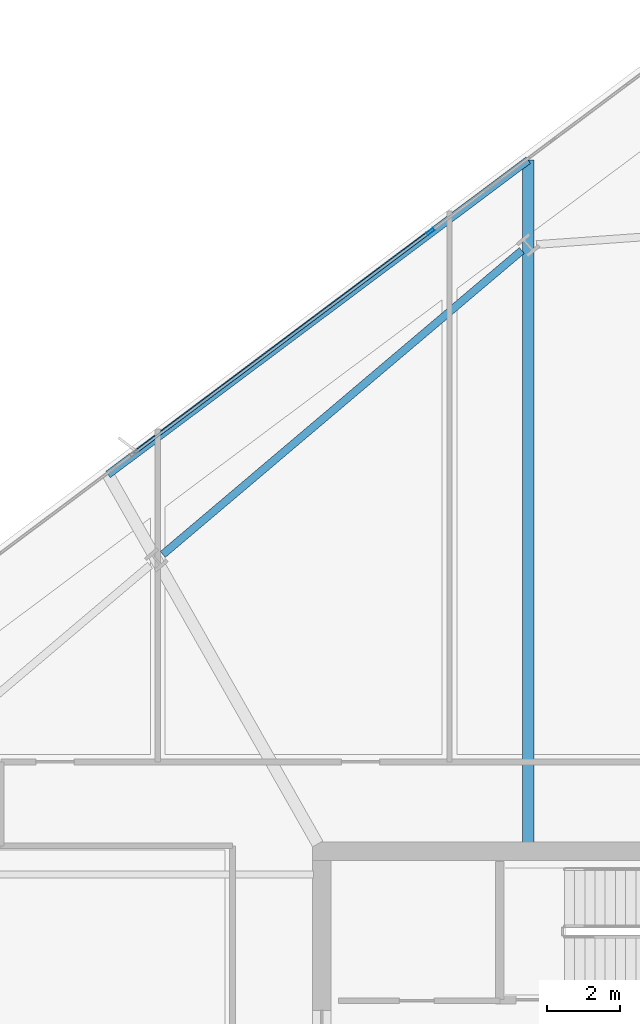
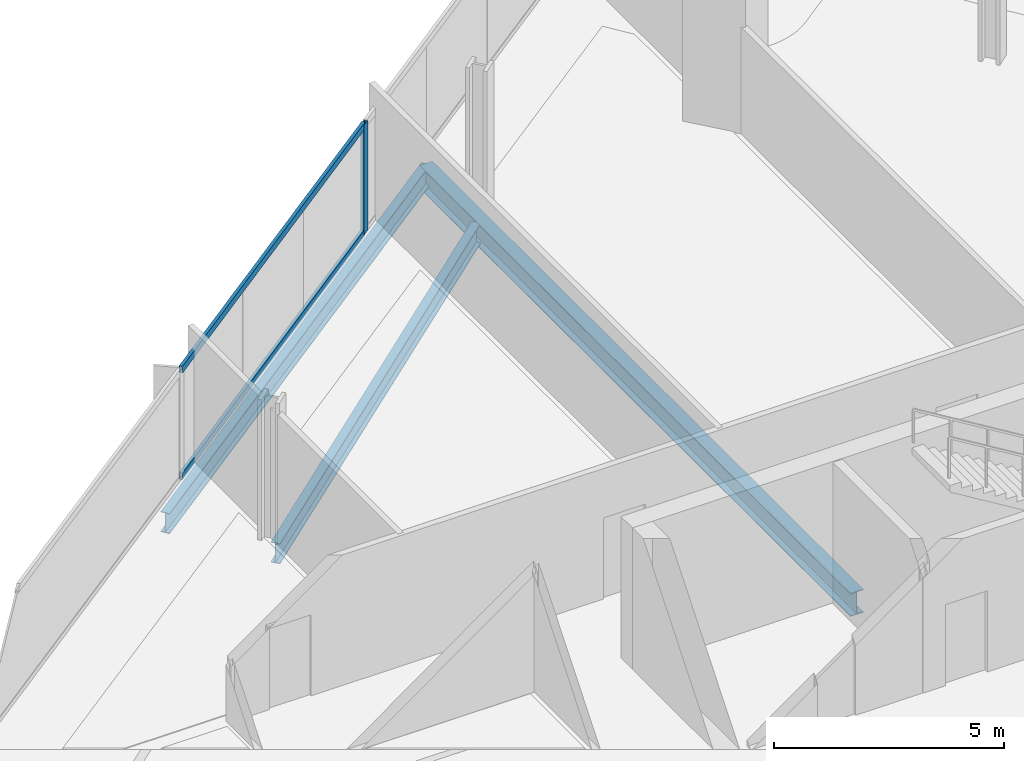
# One storey, part 15 of 32: 3 beams, 3 members, 1 element without a shape of its own.
"""IFC4 building model written with IfcOpenShell, lengths in metres."""

from ifc_helpers import new_model, si_unit, direction, frame, origin, origin_2d, place, context, subcontext, project, spatial, hollow_rectangle, i_section, extrude, material, material_profile, profile_set, type_object, element, aggregate, save


model = new_model("IFC4")

# Units and contexts
model_context = context("Model", 3, precision=1e-05, world=origin(), true_north=direction((0.0, 1.0)))
body_context = subcontext(model_context, "Body", "Model", "MODEL_VIEW")
ifc_project = project(units=[si_unit("LENGTHUNIT", "METRE"), si_unit("AREAUNIT", "SQUARE_METRE"), si_unit("VOLUMEUNIT", "CUBIC_METRE"), si_unit("PLANEANGLEUNIT", "RADIAN"), si_unit("MASSUNIT", "GRAM", prefix="KILO")], contexts=[model_context])

# Site, building, storey
site_placement = place(None, origin())
site = spatial("IfcSite", under=ifc_project, at=site_placement, CompositionType="ELEMENT")
building_placement = place(site_placement, origin())
building = spatial("IfcBuilding", under=site, at=building_placement, Name="Haldenkirk Collegiate Tower", CompositionType="ELEMENT")
storey_placement = place(building_placement, frame((0.0, 0.0, 151.949951171875)))
storey = spatial("IfcBuildingStorey", under=building, at=storey_placement, Name="L37", CompositionType="ELEMENT", Elevation=151.949951171875)

# Beams
ifc_material_1 = material(Name="Steel ASTM A992 Grade 50", Category="steel")
ifc_material_profile_1 = material_profile(ifc_material_1, i_section(OverallWidth=0.324951171875, OverallDepth=0.615966796875, WebThickness=0.013916015625, FlangeThickness=0.021484375, at=origin_2d()), Name="W24X117")
ifc_profile_set_1 = profile_set([ifc_material_profile_1], Name="Steel ASTM A992 Grade 50")
beam_type_1 = type_object("IfcBeamType", Name="BM-GIRDER-W24X117", PredefinedType="BEAM", material=ifc_profile_set_1)
beam_1_placement = place(storey_placement, frame((32.657470703125, 52.947509765625, -0.597900390625), z_axis=(0.0, -1.0, 0.0), x_axis=(1.0, 0.0, 0.0)))
element("IfcBeam", 1, at=beam_1_placement, inside=storey, type_object=beam_type_1, Name="L37 primary floor girder 11", PredefinedType="BEAM", context=body_context, shape_type="SweptSolid", body=[
    extrude(i_section(OverallWidth=0.324951171875, OverallDepth=0.615966796875, WebThickness=0.013916015625, FlangeThickness=0.021484375, at=origin_2d()), origin(), (0.0, 0.0, 1.0), 18.717529296875),
])
ifc_material_profile_2 = material_profile(ifc_material_1, i_section(OverallWidth=0.2119140625, OverallDepth=0.5439453125, WebThickness=0.01318359375, FlangeThickness=0.021240234375, at=origin_2d()), Name="W21X83")
ifc_profile_set_2 = profile_set([ifc_material_profile_2], Name="Steel ASTM A992 Grade 50")
beam_type_2 = type_object("IfcBeamType", Name="BM-SPANDREL-W21X83", PredefinedType="SPANDREL", material=ifc_profile_set_2)
beam_2_placement = place(storey_placement, frame((32.482666015625, 50.471435546875, -0.56201171875), z_axis=(-0.763233335078, -0.646122957514, 0.0), x_axis=(0.646122957514, -0.763233335078, 0.0)))
element("IfcBeam", 2, at=beam_2_placement, inside=storey, type_object=beam_type_2, Name="L37 perimeter spandrel beam 10", PredefinedType="SPANDREL", context=body_context, shape_type="SweptSolid", body=[
    extrude(i_section(OverallWidth=0.2119140625, OverallDepth=0.5439453125, WebThickness=0.01318359375, FlangeThickness=0.021240234375, at=origin_2d()), origin(), (0.0, 0.0, 1.0), 12.898193359375),
])
beam_3_placement = place(storey_placement, frame((32.657470703125, 52.947509765625, -0.56201171875), z_axis=(-0.800732400975, -0.599022221648, 0.0), x_axis=(0.599022221648, -0.800732400975, 0.0)))
element("IfcBeam", 3, at=beam_3_placement, inside=storey, type_object=beam_type_2, Name="L37 outer facade edge beam 3", PredefinedType="SPANDREL", context=body_context, shape_type="SweptSolid", body=[
    extrude(i_section(OverallWidth=0.2119140625, OverallDepth=0.5439453125, WebThickness=0.01318359375, FlangeThickness=0.021240234375, at=origin_2d()), origin(), (0.0, 0.0, 1.0), 14.388671875),
])

# Curtain wall, members
ifc_material_2 = material(Name="Anodised architectural bronze aluminium", Category="aluminium")
curtain_wall_type = type_object("IfcCurtainWallType", Name="CW-SYS1-CONVEX-LOW", PredefinedType="USERDEFINED", material=ifc_material_2)
curtain_wall_placement = place(storey_placement, origin())
curtain_wall = element("IfcCurtainWall", 4, at=curtain_wall_placement, inside=storey, type_object=curtain_wall_type, Name="L37 Lower tower convex bronze-framed unitised curtain wall", ObjectType="UNITISED CURTAIN WALL", PredefinedType="USERDEFINED")
ifc_material_profile_3 = material_profile(ifc_material_2, hollow_rectangle(XDim=0.080078125, YDim=0.219970703125, WallThickness=0.0048828125, at=origin_2d()), Name="CW-MUL-1A")
ifc_profile_set_3 = profile_set([ifc_material_profile_3], Name="Anodised architectural bronze aluminium")
member_type_1 = type_object("IfcMemberType", Name="CW-MUL-1A", PredefinedType="MULLION", material=ifc_profile_set_3)
member_1_placement = place(storey_placement, frame((29.978515625, 50.993408203125, 0.0), z_axis=(0.0, 0.0, 1.0), x_axis=(-0.599025366751, 0.800730048136, 0.0)))
member_1 = element("IfcMember", 5, at=member_1_placement, type_object=member_type_1, Name="CW-1A mullion 4", PredefinedType="MULLION", context=body_context, shape_type="SweptSolid", body=[
    extrude(hollow_rectangle(XDim=0.080078125, YDim=0.219970703125, WallThickness=0.0048828125, at=origin_2d()), origin(), (0.0, 0.0, 1.0), 2.9111328125),
])
ifc_material_profile_4 = material_profile(ifc_material_2, hollow_rectangle(XDim=0.080078125, YDim=0.179931640625, WallThickness=0.0048828125, at=origin_2d()), Name="CW-TRN-1A")
ifc_profile_set_4 = profile_set([ifc_material_profile_4], Name="Anodised architectural bronze aluminium")
member_type_2 = type_object("IfcMemberType", Name="CW-TRN-1A", PredefinedType="USERDEFINED", material=ifc_profile_set_4)
member_2_placement = place(storey_placement, frame((21.883056640625, 44.937255859375, 0.0400390625), z_axis=(0.800723843227, 0.599033660897, 0.0), x_axis=(-0.599033660897, 0.800723843227, 0.0)))
member_2 = element("IfcMember", 6, at=member_2_placement, type_object=member_type_2, Name="CW-1A transom 3.1", ObjectType="TRANSOM", PredefinedType="USERDEFINED", context=body_context, shape_type="SweptSolid", body=[
    extrude(hollow_rectangle(XDim=0.080078125, YDim=0.179931640625, WallThickness=0.0048828125, at=origin_2d()), origin(), (0.0, 0.0, 1.0), 10.06982421875),
])
member_3_placement = place(storey_placement, frame((21.883056640625, 44.937255859375, 2.87109375), z_axis=(0.800723843227, 0.599033660897, 0.0), x_axis=(-0.599033660897, 0.800723843227, 0.0)))
member_3 = element("IfcMember", 7, at=member_3_placement, type_object=member_type_2, Name="CW-1A transom 3.2", ObjectType="TRANSOM", PredefinedType="USERDEFINED", context=body_context, shape_type="SweptSolid", body=[
    extrude(hollow_rectangle(XDim=0.080078125, YDim=0.179931640625, WallThickness=0.0048828125, at=origin_2d()), origin(), (0.0, 0.0, 1.0), 10.06982421875),
])
aggregate(curtain_wall, [member_1, member_2, member_3])

save(model, "model.ifc")
